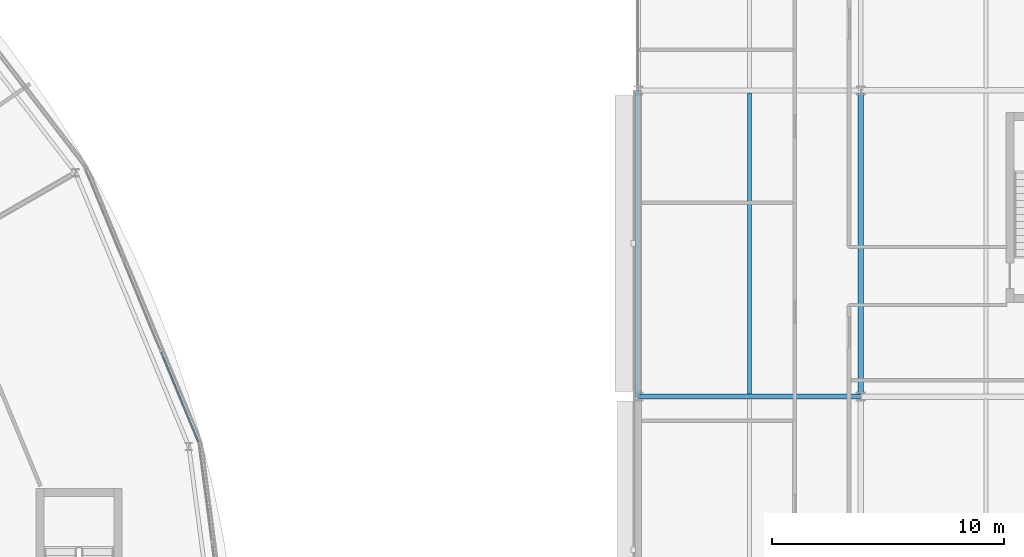
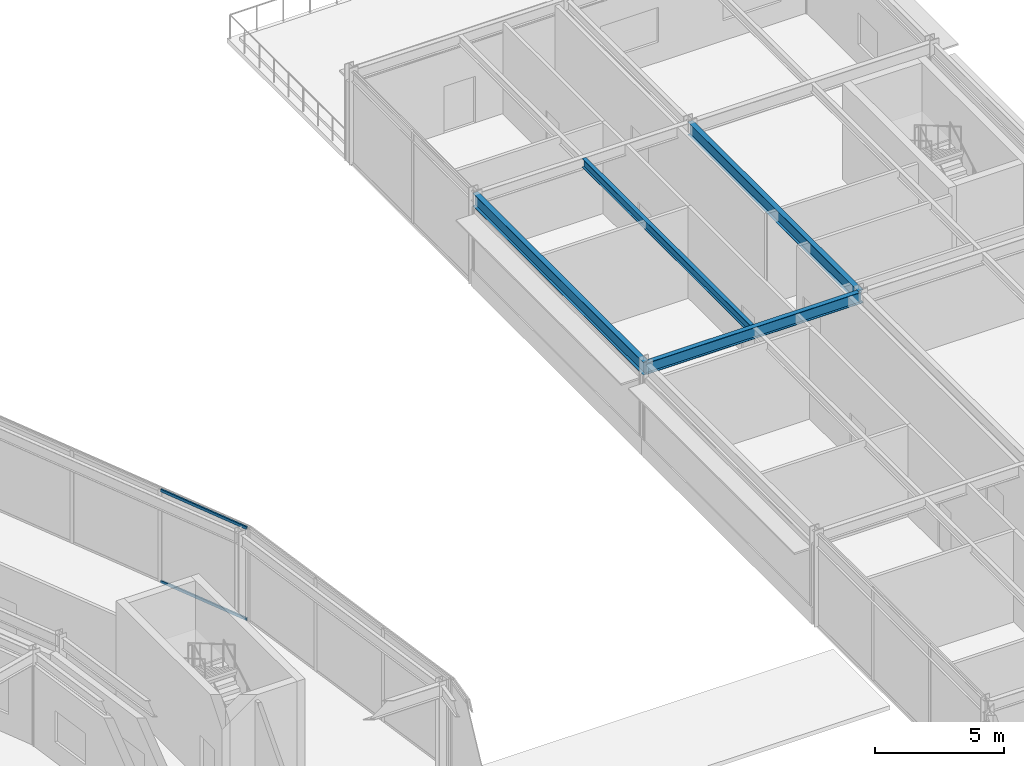
# One storey, part 91 of 133: 4 beams, 2 members, 1 element without a shape of its own.
"""IFC4 building model written with IfcOpenShell, lengths in metres."""

from ifc_helpers import new_model, si_unit, direction, frame, origin, origin_2d, place, context, subcontext, project, spatial, hollow_rectangle, i_section, extrude, material, material_profile, profile_set, type_object, element, aggregate, save


model = new_model("IFC4")

# Units and contexts
model_context = context("Model", 3, precision=1e-05, world=origin(), true_north=direction((0.0, 1.0)))
body_context = subcontext(model_context, "Body", "Model", "MODEL_VIEW")
ifc_project = project(units=[si_unit("LENGTHUNIT", "METRE"), si_unit("AREAUNIT", "SQUARE_METRE"), si_unit("VOLUMEUNIT", "CUBIC_METRE"), si_unit("PLANEANGLEUNIT", "RADIAN"), si_unit("MASSUNIT", "GRAM", prefix="KILO")], contexts=[model_context])

# Site, building, storey
site_placement = place(None, origin())
site = spatial("IfcSite", under=ifc_project, at=site_placement, CompositionType="ELEMENT")
building_placement = place(site_placement, origin())
building = spatial("IfcBuilding", under=site, at=building_placement, Name="Almandine Court Research Institute", CompositionType="ELEMENT")
storey_placement = place(building_placement, frame((0.0, 0.0, 9.800048828125)))
storey = spatial("IfcBuildingStorey", under=building, at=storey_placement, Name="L02", CompositionType="ELEMENT", Elevation=9.800048828125)

# Beams
ifc_material_1 = material(Name="Steel ASTM A992 Grade 50", Category="steel")
ifc_material_profile_1 = material_profile(ifc_material_1, i_section(OverallWidth=0.178955078125, OverallDepth=0.409912109375, WebThickness=0.009033203125, FlangeThickness=0.013916015625, at=origin_2d()), Name="W410x67")
ifc_profile_set_1 = profile_set([ifc_material_profile_1], Name="Steel ASTM A992 Grade 50")
beam_type_1 = type_object("IfcBeamType", Name="Beam-B-02", PredefinedType="JOIST", material=ifc_profile_set_1)
beam_1_placement = place(storey_placement, frame((158.39990234375, 70.903076171875, 4.1650390625), z_axis=(0.0, 1.0, 0.0), x_axis=(-1.0, 0.0, 0.0)))
element("IfcBeam", 1, at=beam_1_placement, inside=storey, type_object=beam_type_1, Name="L02 V4 Composite Secondary Beam", PredefinedType="JOIST", context=body_context, shape_type="SweptSolid", body=[
    extrude(i_section(OverallWidth=0.178955078125, OverallDepth=0.409912109375, WebThickness=0.009033203125, FlangeThickness=0.013916015625, at=origin_2d()), origin(), (0.0, 0.0, 1.0), 12.993896484375),
])
ifc_material_profile_2 = material_profile(ifc_material_1, i_section(OverallWidth=0.22802734375, OverallDepth=0.60791015625, WebThickness=0.010986328125, FlangeThickness=0.01708984375, at=origin_2d()), Name="W610x113")
ifc_profile_set_2 = profile_set([ifc_material_profile_2], Name="Steel ASTM A992 Grade 50")
beam_type_2 = type_object("IfcBeamType", Name="Beam-G-03", PredefinedType="BEAM", material=ifc_profile_set_2)
for number, where, z_axis, x_axis, name in (
    (2, (153.60009765625, 70.800048828125, 4.06591796875), (0.0, 1.0, 0.0), (-1.0, 0.0, 0.0), "L02 V4 Primary Y Girder"),
    (3, (163.199951171875, 70.800048828125, 4.06591796875), (0.0, 1.0, 0.0), (-1.0, 0.0, 0.0), "L02 V4 Primary Y Girder"),
):
    element("IfcBeam", number, at=place(storey_placement, frame(where, z_axis=z_axis, x_axis=x_axis)), inside=storey, type_object=beam_type_2, Name=name, PredefinedType="BEAM", context=body_context, shape_type="SweptSolid", body=[
        extrude(i_section(OverallWidth=0.22802734375, OverallDepth=0.60791015625, WebThickness=0.010986328125, FlangeThickness=0.01708984375, at=origin_2d()), origin(), (0.0, 0.0, 1.0), 13.199951171875),
    ])
ifc_material_profile_3 = material_profile(ifc_material_1, i_section(OverallWidth=0.2109375, OverallDepth=0.5390625, WebThickness=0.011962890625, FlangeThickness=0.01904296875, at=origin_2d()), Name="W530x109")
ifc_profile_set_3 = profile_set([ifc_material_profile_3], Name="Steel ASTM A992 Grade 50")
beam_type_3 = type_object("IfcBeamType", Name="Beam-G-04", PredefinedType="BEAM", material=ifc_profile_set_3)
beam_2_placement = place(storey_placement, frame((153.60009765625, 70.800048828125, 4.099853515625), z_axis=(1.0, 0.0, 0.0), x_axis=(0.0, 1.0, 0.0)))
element("IfcBeam", 4, at=beam_2_placement, inside=storey, type_object=beam_type_3, Name="L02 V4 Primary X Girder", PredefinedType="BEAM", context=body_context, shape_type="SweptSolid", body=[
    extrude(i_section(OverallWidth=0.2109375, OverallDepth=0.5390625, WebThickness=0.011962890625, FlangeThickness=0.01904296875, at=origin_2d()), origin(), (0.0, 0.0, 1.0), 9.599853515625),
])

# Curtain wall, members
ifc_material_2 = material(Name="Unitised Curtain Wall Framing and Solar Glazing", Category="glass")
curtain_wall_type = type_object("IfcCurtainWallType", Name="CW-CWJ-19", PredefinedType="USERDEFINED", material=ifc_material_2)
curtain_wall_placement = place(storey_placement, origin())
curtain_wall = element("IfcCurtainWall", 5, at=curtain_wall_placement, inside=storey, type_object=curtain_wall_type, Name="L02 Stacked-Ring Drum Outer Solar Jali Screen 01", ObjectType="SOLAR JALI SCREEN", PredefinedType="USERDEFINED")
ifc_material_3 = material(Name="Anodised Aluminium AW-6063-T6", Category="aluminium")
ifc_material_profile_4 = material_profile(ifc_material_3, hollow_rectangle(XDim=0.06494140625, YDim=0.1298828125, WallThickness=0.00390625, at=origin_2d()), Name="ALU RHS 65x130x4")
ifc_profile_set_4 = profile_set([ifc_material_profile_4], Name="Anodised Aluminium AW-6063-T6")
member_type = type_object("IfcMemberType", Name="CWTrn-65x130", PredefinedType="NOTDEFINED", material=ifc_profile_set_4)
member_1_placement = place(storey_placement, frame((133.046875, 72.715087890625, 0.032470703125), z_axis=(0.382631051398, -0.923901227679, 0.0), x_axis=(0.923901227679, 0.382631051398, 0.0)))
member_1 = element("IfcMember", 6, at=member_1_placement, type_object=member_type, Name="CWJ-19 transom 3.1", ObjectType="TRANSOM", PredefinedType="USERDEFINED", context=body_context, shape_type="SweptSolid", body=[
    extrude(hollow_rectangle(XDim=0.06494140625, YDim=0.1298828125, WallThickness=0.00390625, at=origin_2d()), origin(), (0.0, 0.0, 1.0), 4.1953125),
])
member_2_placement = place(storey_placement, frame((133.046875, 72.715087890625, 4.33740234375), z_axis=(0.382631051398, -0.923901227679, 0.0), x_axis=(0.923901227679, 0.382631051398, 0.0)))
member_2 = element("IfcMember", 7, at=member_2_placement, type_object=member_type, Name="CWJ-19 transom 3.2", ObjectType="TRANSOM", PredefinedType="USERDEFINED", context=body_context, shape_type="SweptSolid", body=[
    extrude(hollow_rectangle(XDim=0.06494140625, YDim=0.1298828125, WallThickness=0.00390625, at=origin_2d()), origin(), (0.0, 0.0, 1.0), 4.1953125),
])
aggregate(curtain_wall, [member_1, member_2])

save(model, "model.ifc")
